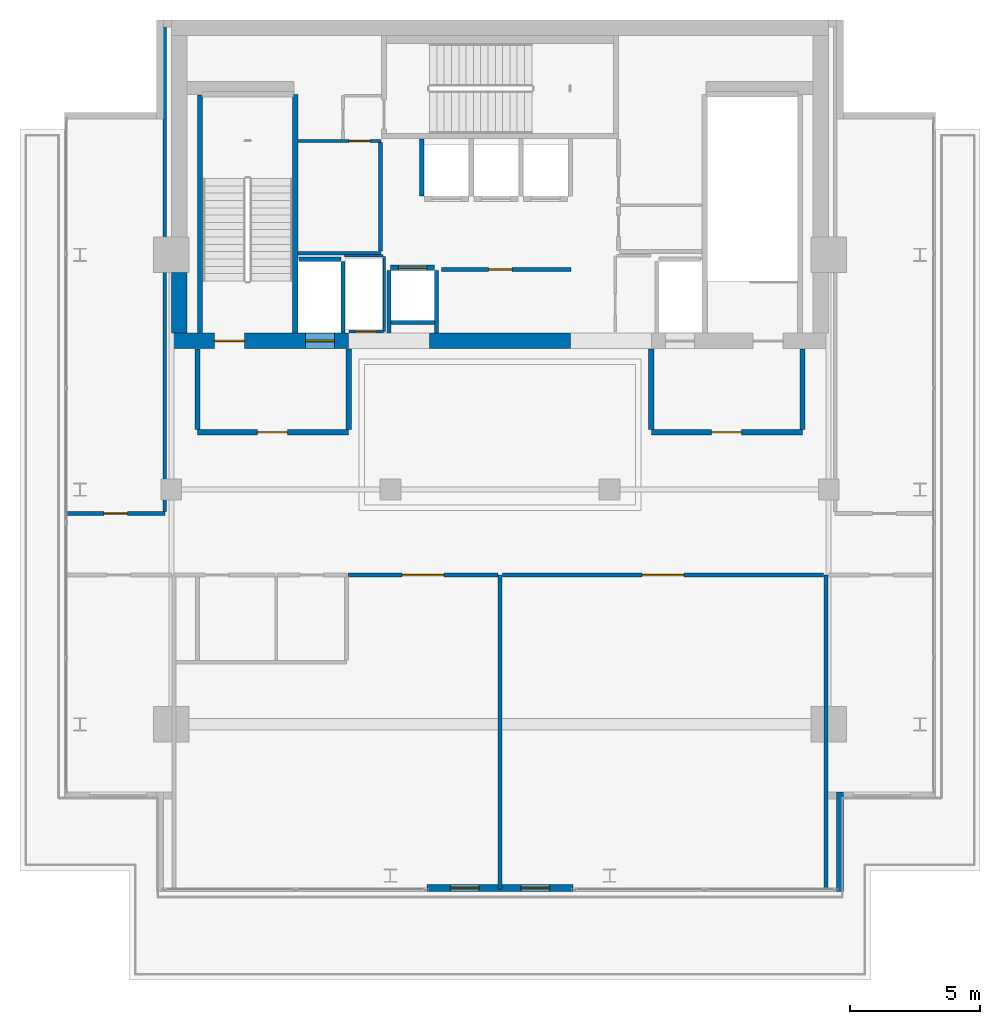
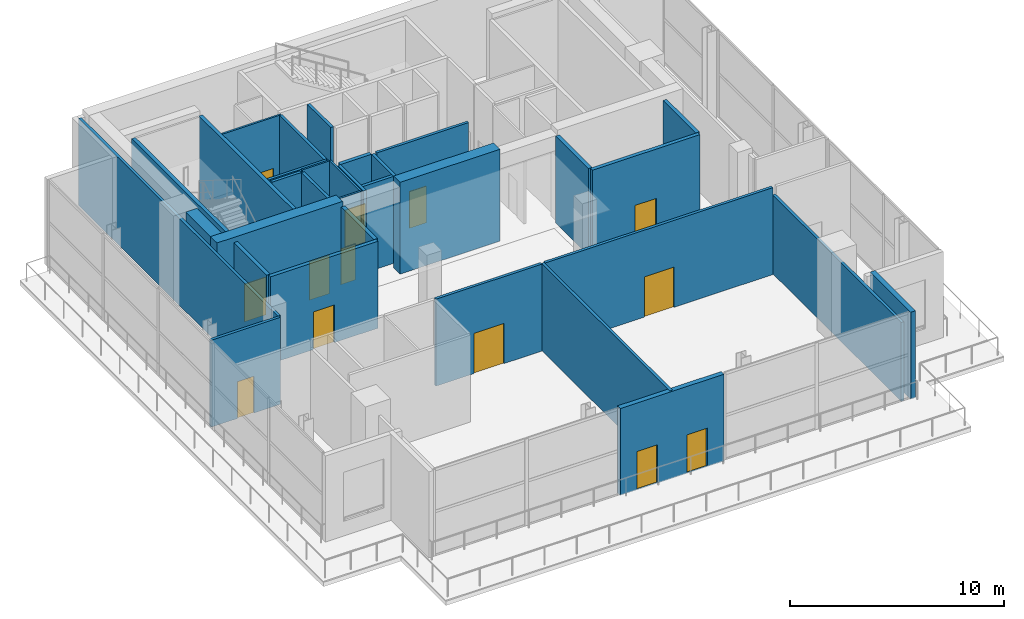
# One storey, part 13 of 19: 33 walls, 13 doors, 13 openings.
"""IFC4 building model written with IfcOpenShell, lengths in metres."""

from ifc_helpers import new_model, si_unit, direction, frame, frame_2d, origin, place, context, subcontext, project, spatial, rectangle, extrude, material, layer, layer_set, type_object, element, fill, save


model = new_model("IFC4")

# Units and contexts
model_context = context("Model", 3, precision=1e-05, world=origin(), true_north=direction((0.0, 1.0)))
body_context = subcontext(model_context, "Body", "Model", "MODEL_VIEW")
ifc_project = project(units=[si_unit("LENGTHUNIT", "METRE"), si_unit("AREAUNIT", "SQUARE_METRE"), si_unit("VOLUMEUNIT", "CUBIC_METRE"), si_unit("PLANEANGLEUNIT", "RADIAN"), si_unit("MASSUNIT", "GRAM", prefix="KILO")], contexts=[model_context])

# Site, building, storey
site_placement = place(None, origin())
site = spatial("IfcSite", under=ifc_project, at=site_placement, CompositionType="ELEMENT")
building_placement = place(site_placement, origin())
building = spatial("IfcBuilding", under=site, at=building_placement, Name="Maruvema Waterfront Hotel and Observation Tower", CompositionType="ELEMENT")
storey_placement = place(building_placement, frame((0.0, 0.0, 359.10009765625)))
storey = spatial("IfcBuildingStorey", under=building, at=storey_placement, Name="L88", CompositionType="ELEMENT", Elevation=359.10009765625)

# Wall, opening, door
ifc_material_1 = material(Name="Twin-stud acoustic gypsum drywall", Category="gypsum")
ifc_layer_1 = layer(ifc_material_1, 0.14990234375, Name="Acoustic Corridor and Suite Demising Wall 150 mm")
ifc_layer_set_1 = layer_set([ifc_layer_1], Name="Twin-stud acoustic gypsum drywall")
wall_type_1 = type_object("IfcWallType", Name="Acoustic Corridor and Suite Demising Wall 150 mm", PredefinedType="PARTITIONING", material=ifc_layer_set_1)
wall_1_placement = place(storey_placement, frame((35.56005859375, 44.43994140625, 0.0), z_axis=(0.0, 0.0, 1.0), x_axis=(1.0, 0.0, 0.0)))
wall_1 = element("IfcWall", 1, at=wall_1_placement, inside=storey, type_object=wall_type_1, Name="L88 Freed B3 Wall 012", PredefinedType="PARTITIONING", context=body_context, shape_type="SweptSolid", body=[
    extrude(rectangle(XDim=4.9599609375, YDim=0.14990234375, at=frame_2d((2.47998046875, 0.0))), origin(), (0.0, 0.0, 1.0), 4.969970703125),
])
opening_1_placement = place(wall_1_placement, frame((1.800048828125, 0.0, 0.0)))
opening_1 = element("IfcOpeningElement", 2, at=opening_1_placement, cuts=wall_1, Name="Opening DR-090", PredefinedType="OPENING", context=body_context, shape_type="SweptSolid", body=[
    extrude(rectangle(XDim=0.89990234375, YDim=2.10009765625, at=frame_2d((0.449951171875, 1.050048828125))), frame((0.0, 0.0849609375, 0.0), z_axis=(0.0, -1.0, 0.0), x_axis=(1.0, 0.0, 0.0)), (0.0, 0.0, 1.0), 0.169921875),
])
ifc_material_2 = material(Name="Solid-core lacquered timber leaf", Category="wood")
door_type_1 = type_object("IfcDoorType", Name="Accessible Toilet and Room Door 900x2100 mm", OperationType="NOTDEFINED", PredefinedType="DOOR", material=ifc_material_2)
door_1_placement = place(opening_1_placement, origin())
door_1 = element("IfcDoor", 3, at=door_1_placement, inside=storey, type_object=door_type_1, Name="L88 Freed B3 Door", OperationType="SINGLE_SWING_RIGHT", OverallHeight=2.10009765625, OverallWidth=0.89990234375, PredefinedType="DOOR", context=body_context, shape_type="SweptSolid", body=[
    extrude(rectangle(XDim=0.89990234375, YDim=2.10009765625, at=frame_2d((0.449951171875, 1.050048828125))), frame((0.0, 0.02490234375, 0.0), z_axis=(0.0, -1.0, 0.0), x_axis=(1.0, 0.0, 0.0)), (0.0, 0.0, 1.0), 0.050048828125),
])
fill(opening_1, door_1)

# Walls
wall_2_placement = place(storey_placement, frame((30.06005859375, 45.06005859375, 0.0), z_axis=(0.0, 0.0, 1.0), x_axis=(1.0, 0.0, 0.0)))
element("IfcWall", 4, at=wall_2_placement, inside=storey, type_object=wall_type_1, Name="L88 Freed B1 South Wall 013", PredefinedType="PARTITIONING", context=body_context, shape_type="SweptSolid", body=[
    extrude(rectangle(XDim=3.179931640625, YDim=0.14990234375, at=frame_2d((1.58984375, 0.0))), origin(), (0.0, 0.0, 1.0), 4.969970703125),
])
wall_3_placement = place(storey_placement, frame((33.219970703125, 45.139892578125, 0.0), z_axis=(0.0, 0.0, 1.0), x_axis=(0.0, 1.0, 0.0)))
element("IfcWall", 5, at=wall_3_placement, inside=storey, type_object=wall_type_1, Name="L88 Freed B1 East Wall 014", PredefinedType="PARTITIONING", context=body_context, shape_type="SweptSolid", body=[
    extrude(rectangle(XDim=4.16015625, YDim=0.14990234375, at=frame_2d((2.080078125, 0.0))), origin(), (0.0, 0.0, 1.0), 4.969970703125),
])
wall_4_placement = place(storey_placement, frame((37.800048828125, 20.679931640625, 0.0), z_axis=(0.0, 0.0, 1.0), x_axis=(0.0, 1.0, 0.0)))
element("IfcWall", 6, at=wall_4_placement, inside=storey, type_object=wall_type_1, Name="L88 L88 Deck Split 028", PredefinedType="PARTITIONING", context=body_context, shape_type="SweptSolid", body=[
    extrude(rectangle(XDim=12.0400390625, YDim=0.14990234375, at=frame_2d((6.02001953125, 0.0))), origin(), (0.0, 0.0, 1.0), 4.969970703125),
])
wall_5_placement = place(storey_placement, frame((50.300048828125, 20.679931640625, 0.0), z_axis=(0.0, 0.0, 1.0), x_axis=(0.0, 1.0, 0.0)))
element("IfcWall", 7, at=wall_5_placement, inside=storey, type_object=wall_type_1, Name="L88 L88 East Spine 030", PredefinedType="PARTITIONING", context=body_context, shape_type="SweptSolid", body=[
    extrude(rectangle(XDim=12.0400390625, YDim=0.14990234375, at=frame_2d((6.02001953125, 0.0))), origin(), (0.0, 0.0, 1.0), 4.5068359375),
])

# Wall, opening, door
wall_6_placement = place(storey_placement, frame((31.97998046875, 32.719970703125, 0.0), z_axis=(0.0, 0.0, 1.0), x_axis=(1.0, 0.0, 0.0)))
wall_6 = element("IfcWall", 8, at=wall_6_placement, inside=storey, type_object=wall_type_1, Name="L88 L88 Obs W North 031", PredefinedType="PARTITIONING", context=body_context, shape_type="SweptSolid", body=[
    extrude(rectangle(XDim=5.739990234375, YDim=0.14990234375, at=frame_2d((2.8701171875, 0.0))), origin(), (0.0, 0.0, 1.0), 4.969970703125),
])
opening_2_placement = place(wall_6_placement, frame((2.070068359375, 0.0, 0.0)))
opening_2 = element("IfcOpeningElement", 9, at=opening_2_placement, cuts=wall_6, Name="Opening DR-160", PredefinedType="OPENING", context=body_context, shape_type="SweptSolid", body=[
    extrude(rectangle(XDim=1.60009765625, YDim=2.300048828125, at=frame_2d((0.800048828125, 1.14990234375))), frame((0.0, 0.0849609375, 0.0), z_axis=(0.0, -1.0, 0.0), x_axis=(1.0, 0.0, 0.0)), (0.0, 0.0, 1.0), 0.169921875),
])
ifc_material_3 = material(Name="Acoustic veneered hardwood double leaf", Category="wood")
door_type_2 = type_object("IfcDoorType", Name="Ballroom and Lounge Double Door 1600x2300 mm", OperationType="DOUBLE_DOOR_SINGLE_SWING", PredefinedType="DOOR", material=ifc_material_3)
door_2_placement = place(opening_2_placement, origin())
door_2 = element("IfcDoor", 10, at=door_2_placement, inside=storey, type_object=door_type_2, Name="L88 Upper Observation West Door", OperationType="DOUBLE_DOOR_SINGLE_SWING", OverallHeight=2.300048828125, OverallWidth=1.60009765625, PredefinedType="DOOR", context=body_context, shape_type="SweptSolid", body=[
    extrude(rectangle(XDim=1.60009765625, YDim=2.300048828125, at=frame_2d((0.800048828125, 1.14990234375))), frame((0.0, 0.02490234375, 0.0), z_axis=(0.0, -1.0, 0.0), x_axis=(1.0, 0.0, 0.0)), (0.0, 0.0, 1.0), 0.050048828125),
])
fill(opening_2, door_2)

wall_7_placement = place(storey_placement, frame((37.89990234375, 32.719970703125, 0.0), z_axis=(0.0, 0.0, 1.0), x_axis=(1.0, 0.0, 0.0)))
wall_7 = element("IfcWall", 11, at=wall_7_placement, inside=storey, type_object=wall_type_1, Name="L88 L88 Obs E North 032", PredefinedType="PARTITIONING", context=body_context, shape_type="SweptSolid", body=[
    extrude(rectangle(XDim=12.300048828125, YDim=0.14990234375, at=frame_2d((6.14990234375, 0.0))), origin(), (0.0, 0.0, 1.0), 4.969970703125),
])
opening_3_placement = place(wall_7_placement, frame((5.35009765625, 0.0, 0.0)))
opening_3 = element("IfcOpeningElement", 12, at=opening_3_placement, cuts=wall_7, Name="Opening DR-160", PredefinedType="OPENING", context=body_context, shape_type="SweptSolid", body=[
    extrude(rectangle(XDim=1.60009765625, YDim=2.300048828125, at=frame_2d((0.800048828125, 1.14990234375))), frame((0.0, 0.0849609375, 0.0), z_axis=(0.0, -1.0, 0.0), x_axis=(1.0, 0.0, 0.0)), (0.0, 0.0, 1.0), 0.169921875),
])
door_3_placement = place(opening_3_placement, origin())
door_3 = element("IfcDoor", 13, at=door_3_placement, inside=storey, type_object=door_type_2, Name="L88 Meridian Observatory Door", OperationType="DOUBLE_DOOR_SINGLE_SWING", OverallHeight=2.300048828125, OverallWidth=1.60009765625, PredefinedType="DOOR", context=body_context, shape_type="SweptSolid", body=[
    extrude(rectangle(XDim=1.60009765625, YDim=2.300048828125, at=frame_2d((0.800048828125, 1.14990234375))), frame((0.0, 0.02490234375, 0.0), z_axis=(0.0, -1.0, 0.0), x_axis=(1.0, 0.0, 0.0)), (0.0, 0.0, 1.0), 0.050048828125),
])
fill(opening_3, door_3)

wall_8_placement = place(storey_placement, frame((21.179931640625, 35.080078125, 0.0), z_axis=(0.0, 0.0, 1.0), x_axis=(1.0, 0.0, 0.0)))
wall_8 = element("IfcWall", 14, at=wall_8_placement, inside=storey, type_object=wall_type_1, Name="L88 L88 Curator South 035", PredefinedType="PARTITIONING", context=body_context, shape_type="SweptSolid", body=[
    extrude(rectangle(XDim=3.77001953125, YDim=0.14990234375, at=frame_2d((1.885009765625, 0.0))), origin(), (0.0, 0.0, 1.0), 4.969970703125),
])
opening_4_placement = place(wall_8_placement, frame((1.43505859375, 0.0, 0.0)))
opening_4 = element("IfcOpeningElement", 15, at=opening_4_placement, cuts=wall_8, Name="Opening DR-090", PredefinedType="OPENING", context=body_context, shape_type="SweptSolid", body=[
    extrude(rectangle(XDim=0.89990234375, YDim=2.10009765625, at=frame_2d((0.449951171875, 1.050048828125))), frame((0.0, 0.0849609375, 0.0), z_axis=(0.0, -1.0, 0.0), x_axis=(1.0, 0.0, 0.0)), (0.0, 0.0, 1.0), 0.169921875),
])
door_4_placement = place(opening_4_placement, frame((0.89990234375, 0.0, 0.0), z_axis=(0.0, 0.0, 1.0), x_axis=(-1.0, 0.0, 0.0)))
door_4 = element("IfcDoor", 16, at=door_4_placement, inside=storey, type_object=door_type_1, Name="L88 Curator Office Door", OperationType="SINGLE_SWING_LEFT", OverallHeight=2.10009765625, OverallWidth=0.89990234375, PredefinedType="DOOR", context=body_context, shape_type="SweptSolid", body=[
    extrude(rectangle(XDim=0.89990234375, YDim=2.10009765625, at=frame_2d((0.449951171875, 1.050048828125))), frame((0.0, 0.02490234375, 0.0), z_axis=(0.0, -1.0, 0.0), x_axis=(1.0, 0.0, 0.0)), (0.0, 0.0, 1.0), 0.050048828125),
])
fill(opening_4, door_4)

# Walls
wall_9_placement = place(storey_placement, frame((24.949951171875, 35.14990234375, 0.0), z_axis=(0.0, 0.0, 1.0), x_axis=(0.0, 1.0, 0.0)))
element("IfcWall", 17, at=wall_9_placement, inside=storey, type_object=wall_type_1, Name="L88 L88 Curator East 036", PredefinedType="PARTITIONING", context=body_context, shape_type="SweptSolid", body=[
    extrude(rectangle(XDim=18.650146484375, YDim=0.14990234375, at=frame_2d((9.3251953125, 0.0))), origin(), (0.0, 0.0, 1.0), 4.969970703125),
])
ifc_material_4 = material(Name="Precast concrete C45/55", Category="concrete")
ifc_layer_2 = layer(ifc_material_4, 0.199951171875, Name="Core Shaft and Stairwell Enclosure Wall 200 mm")
ifc_layer_set_2 = layer_set([ifc_layer_2], Name="Precast concrete C45/55")
wall_type_2 = type_object("IfcWallType", Name="Core Shaft and Stairwell Enclosure Wall 200 mm", PredefinedType="SOLIDWALL", material=ifc_layer_set_2)
wall_10_placement = place(storey_placement, frame((29.949951171875, 42.0, 0.0), z_axis=(0.0, 0.0, 1.0), x_axis=(0.0, 1.0, 0.0)))
element("IfcWall", 18, at=wall_10_placement, inside=storey, type_object=wall_type_2, Name="L88 Stairwell ST-01 East Shaft Wall", PredefinedType="SOLIDWALL", context=body_context, shape_type="SweptSolid", body=[
    extrude(rectangle(XDim=9.14990234375, YDim=0.199951171875, at=frame_2d((4.574951171875, 0.0))), origin(), (0.0, 0.0, 1.0), 4.969970703125),
])
wall_11_placement = place(storey_placement, frame((26.300048828125, 42.0, 0.0), z_axis=(0.0, 0.0, 1.0), x_axis=(0.0, 1.0, 0.0)))
element("IfcWall", 19, at=wall_11_placement, inside=storey, type_object=wall_type_2, Name="L88 Stairwell ST-01 Shaft Lining Wall", PredefinedType="SOLIDWALL", context=body_context, shape_type="SweptSolid", body=[
    extrude(rectangle(XDim=9.1201171875, YDim=0.199951171875, at=frame_2d((4.56005859375, 0.0))), origin(), (0.0, 0.0, 1.0), 4.969970703125),
])

# Wall, opening, door
wall_12_placement = place(storey_placement, frame((33.610107421875, 44.5, 0.0), z_axis=(0.0, 0.0, 1.0), x_axis=(1.0, 0.0, 0.0)))
wall_12 = element("IfcWall", 20, at=wall_12_placement, inside=storey, type_object=wall_type_2, Name="L88 Lift LF-15 Hoistway Front Wall", PredefinedType="SOLIDWALL", context=body_context, shape_type="SweptSolid", body=[
    extrude(rectangle(XDim=1.679931640625, YDim=0.199951171875, at=frame_2d((0.83984375, 0.0))), origin(), (0.0, 0.0, 1.0), 4.969970703125),
])
opening_5_placement = place(wall_12_placement, frame((0.2900390625, 0.0, 0.0)))
opening_5 = element("IfcOpeningElement", 21, at=opening_5_placement, cuts=wall_12, Name="Opening LD-02", PredefinedType="OPENING", context=body_context, shape_type="SweptSolid", body=[
    extrude(rectangle(XDim=1.10009765625, YDim=2.199951171875, at=frame_2d((0.550048828125, 1.10009765625))), frame((0.0, 0.10986328125, 0.0), z_axis=(0.0, -1.0, 0.0), x_axis=(1.0, 0.0, 0.0)), (0.0, 0.0, 1.0), 0.219970703125),
])
ifc_material_5 = material(Name="Brushed stainless steel Grade 316", Category="steel")
door_type_3 = type_object("IfcDoorType", Name="Shuttle Lift Sliding Landing Door 1100x2200 mm", OperationType="SLIDING_TO_RIGHT", PredefinedType="DOOR", material=ifc_material_5)
door_5_placement = place(opening_5_placement, origin())
door_5 = element("IfcDoor", 22, at=door_5_placement, inside=storey, type_object=door_type_3, Name="L88 Lift LF-15 Sliding Landing Door", OperationType="SLIDING_TO_RIGHT", OverallHeight=2.199951171875, OverallWidth=1.10009765625, PredefinedType="DOOR", context=body_context, shape_type="SweptSolid", body=[
    extrude(rectangle(XDim=1.10009765625, YDim=2.199951171875, at=frame_2d((0.550048828125, 1.10009765625))), frame((0.0, 0.02490234375, 0.0), z_axis=(0.0, -1.0, 0.0), x_axis=(1.0, 0.0, 0.0)), (0.0, 0.0, 1.0), 0.050048828125),
])
fill(opening_5, door_5)

# Wall, openings, doors
ifc_material_6 = material(Name="Concrete C60/75", Category="concrete")
ifc_layer_3 = layer(ifc_material_6, 0.60009765625, Name="Core Shear Wall 600 mm")
ifc_layer_set_3 = layer_set([ifc_layer_3], Name="Concrete C60/75")
wall_type_3 = type_object("IfcWallType", Name="Core Shear Wall 600 mm", PredefinedType="SHEAR", material=ifc_layer_set_3)
wall_13_placement = place(storey_placement, frame((25.199951171875, 41.699951171875, 0.0), z_axis=(0.0, 0.0, 1.0), x_axis=(1.0, 0.0, 0.0)))
wall_13 = element("IfcWall", 23, at=wall_13_placement, inside=storey, type_object=wall_type_3, Name="L88 South-West Core Shear Wall", PredefinedType="SHEAR", context=body_context, shape_type="SweptSolid", body=[
    extrude(rectangle(XDim=6.800048828125, YDim=0.60009765625, at=frame_2d((3.39990234375, 0.0))), origin(), (0.0, 0.0, 1.0), 5.25),
])
opening_6_placement = place(wall_13_placement, frame((1.64990234375, 0.0, 0.0)))
opening_6 = element("IfcOpeningElement", 24, at=opening_6_placement, cuts=wall_13, Name="Opening SD-01", PredefinedType="OPENING", context=body_context, shape_type="SweptSolid", body=[
    extrude(rectangle(XDim=1.14990234375, YDim=2.14990234375, at=frame_2d((0.574951171875, 1.074951171875))), frame((0.0, 0.31005859375, 0.0), z_axis=(0.0, -1.0, 0.0), x_axis=(1.0, 0.0, 0.0)), (0.0, 0.0, 1.0), 0.6201171875),
])
opening_7_placement = place(wall_13_placement, frame((5.14990234375, 0.0, 0.0)))
opening_7 = element("IfcOpeningElement", 25, at=opening_7_placement, cuts=wall_13, Name="Opening LD-03", PredefinedType="OPENING", context=body_context, shape_type="SweptSolid", body=[
    extrude(rectangle(XDim=1.10009765625, YDim=2.199951171875, at=frame_2d((0.550048828125, 1.10009765625))), frame((0.0, 0.31005859375, 0.0), z_axis=(0.0, -1.0, 0.0), x_axis=(1.0, 0.0, 0.0)), (0.0, 0.0, 1.0), 0.6201171875),
])
ifc_material_7 = material(Name="Fire-rated galvanised steel leaf", Category="steel")
door_type_4 = type_object("IfcDoorType", Name="Exit Stair Fire Door 1150x2150 mm", OperationType="NOTDEFINED", PredefinedType="DOOR", material=ifc_material_7)
door_6_placement = place(opening_6_placement, origin())
door_6 = element("IfcDoor", 26, at=door_6_placement, inside=storey, type_object=door_type_4, Name="L88 Exit Stair ST-01 Fire Door", OperationType="SINGLE_SWING_LEFT", OverallHeight=2.14990234375, OverallWidth=1.14990234375, PredefinedType="DOOR", context=body_context, shape_type="SweptSolid", body=[
    extrude(rectangle(XDim=1.14990234375, YDim=2.14990234375, at=frame_2d((0.574951171875, 1.074951171875))), frame((0.0, 0.02490234375, 0.0), z_axis=(0.0, -1.0, 0.0), x_axis=(1.0, 0.0, 0.0)), (0.0, 0.0, 1.0), 0.050048828125),
])
fill(opening_6, door_6)
ifc_material_8 = material(Name="Brushed stainless steel Grade 316", Category="steel")
door_type_5 = type_object("IfcDoorType", Name="Firefighting Lift Sliding Landing Door 1100x2200 mm", OperationType="SLIDING_TO_LEFT", PredefinedType="DOOR", material=ifc_material_8)
door_7_placement = place(opening_7_placement, frame((1.10009765625, 0.0, 0.0), z_axis=(0.0, 0.0, 1.0), x_axis=(-1.0, 0.0, 0.0)))
door_7 = element("IfcDoor", 27, at=door_7_placement, inside=storey, type_object=door_type_5, Name="L88 Firefighting Lift FL-01 Landing Door", OperationType="SLIDING_TO_LEFT", OverallHeight=2.199951171875, OverallWidth=1.10009765625, PredefinedType="DOOR", context=body_context, shape_type="SweptSolid", body=[
    extrude(rectangle(XDim=1.10009765625, YDim=2.199951171875, at=frame_2d((0.550048828125, 1.10009765625))), frame((0.0, 0.02490234375, 0.0), z_axis=(0.0, -1.0, 0.0), x_axis=(1.0, 0.0, 0.0)), (0.0, 0.0, 1.0), 0.050048828125),
])
fill(opening_7, door_7)

# Walls
wall_14_placement = place(storey_placement, frame((35.10009765625, 41.699951171875, 0.0), z_axis=(0.0, 0.0, 1.0), x_axis=(1.0, 0.0, 0.0)))
element("IfcWall", 28, at=wall_14_placement, inside=storey, type_object=wall_type_3, Name="L88 South-Central Core Shear Wall", PredefinedType="SHEAR", context=body_context, shape_type="SweptSolid", body=[
    extrude(rectangle(XDim=5.39990234375, YDim=0.60009765625, at=frame_2d((2.699951171875, 0.0))), origin(), (0.0, 0.0, 1.0), 5.25),
])
wall_15_placement = place(storey_placement, frame((25.5, 42.0, 0.0), z_axis=(0.0, 0.0, 1.0), x_axis=(0.0, 1.0, 0.0)))
element("IfcWall", 29, at=wall_15_placement, inside=storey, type_object=wall_type_3, Name="L88 West-South Core Shear Wall", PredefinedType="SHEAR", context=body_context, shape_type="SweptSolid", body=[
    extrude(rectangle(XDim=2.324951171875, YDim=0.60009765625, at=frame_2d((1.16259765625, 0.0))), origin(), (0.0, 0.0, 1.0), 5.25),
])

# Wall, opening, door
ifc_material_9 = material(Name="Moisture-resistant cement-board drywall", Category="gypsum")
ifc_layer_4 = layer(ifc_material_9, 0.10009765625, Name="En-Suite Moisture-Resistant Partition 100 mm")
ifc_layer_set_4 = layer_set([ifc_layer_4], Name="Moisture-resistant cement-board drywall")
wall_type_4 = type_object("IfcWallType", Name="En-Suite Moisture-Resistant Partition 100 mm", PredefinedType="PARTITIONING", material=ifc_layer_set_4)
wall_16_placement = place(storey_placement, frame((32.02001953125, 42.06005859375, 0.0), z_axis=(0.0, 0.0, 1.0), x_axis=(1.0, 0.0, 0.0)))
wall_16 = element("IfcWall", 30, at=wall_16_placement, inside=storey, type_object=wall_type_4, Name="L88 Telecom Riser South Wall 007", PredefinedType="PARTITIONING", context=body_context, shape_type="SweptSolid", body=[
    extrude(rectangle(XDim=1.320068359375, YDim=0.10009765625, at=frame_2d((0.66015625, 0.0))), origin(), (0.0, 0.0, 1.0), 4.969970703125),
])
opening_8_placement = place(wall_16_placement, frame((0.239990234375, 0.0, 0.0)))
opening_8 = element("IfcOpeningElement", 31, at=opening_8_placement, cuts=wall_16, Name="Opening DR-080", PredefinedType="OPENING", context=body_context, shape_type="SweptSolid", body=[
    extrude(rectangle(XDim=0.800048828125, YDim=2.050048828125, at=frame_2d((0.39990234375, 1.02490234375))), frame((0.0, 0.06005859375, 0.0), z_axis=(0.0, -1.0, 0.0), x_axis=(1.0, 0.0, 0.0)), (0.0, 0.0, 1.0), 0.1201171875),
])
ifc_material_10 = material(Name="Powder-coated steel access leaf", Category="steel")
door_type_6 = type_object("IfcDoorType", Name="Riser and Service Cupboard Door 800x2050 mm", OperationType="NOTDEFINED", PredefinedType="DOOR", material=ifc_material_10)
door_8_placement = place(opening_8_placement, frame((0.800048828125, 0.0, 0.0), z_axis=(0.0, 0.0, 1.0), x_axis=(-1.0, 0.0, 0.0)))
door_8 = element("IfcDoor", 32, at=door_8_placement, inside=storey, type_object=door_type_6, Name="L88 Telecom Riser Door", OperationType="SINGLE_SWING_RIGHT", OverallHeight=2.050048828125, OverallWidth=0.800048828125, PredefinedType="DOOR", context=body_context, shape_type="SweptSolid", body=[
    extrude(rectangle(XDim=0.800048828125, YDim=2.050048828125, at=frame_2d((0.39990234375, 1.02490234375))), frame((0.0, 0.02490234375, 0.0), z_axis=(0.0, -1.0, 0.0), x_axis=(1.0, 0.0, 0.0)), (0.0, 0.0, 1.0), 0.050048828125),
])
fill(opening_8, door_8)

# Walls
wall_17_placement = place(storey_placement, frame((31.840087890625, 44.9599609375, 0.0), z_axis=(0.0, 0.0, 1.0), x_axis=(1.0, 0.0, 0.0)))
element("IfcWall", 33, at=wall_17_placement, inside=storey, type_object=wall_type_4, Name="L88 Telecom Riser North Wall 008", PredefinedType="PARTITIONING", context=body_context, shape_type="SweptSolid", body=[
    extrude(rectangle(XDim=1.47998046875, YDim=0.10009765625, at=frame_2d((0.739990234375, 0.0))), origin(), (0.0, 0.0, 1.0), 4.969970703125),
])
wall_18_placement = place(storey_placement, frame((33.360107421875, 42.06005859375, 0.0), z_axis=(0.0, 0.0, 1.0), x_axis=(0.0, 1.0, 0.0)))
element("IfcWall", 34, at=wall_18_placement, inside=storey, type_object=wall_type_4, Name="L88 Telecom Riser East Wall 009", PredefinedType="PARTITIONING", context=body_context, shape_type="SweptSolid", body=[
    extrude(rectangle(XDim=2.8798828125, YDim=0.10009765625, at=frame_2d((1.43994140625, 0.0))), origin(), (0.0, 0.0, 1.0), 4.969970703125),
])

# Wall, opening, door
wall_19_placement = place(storey_placement, frame((30.06005859375, 49.360107421875, 0.0), z_axis=(0.0, 0.0, 1.0), x_axis=(1.0, 0.0, 0.0)))
wall_19 = element("IfcWall", 35, at=wall_19_placement, inside=storey, type_object=wall_type_4, Name="L88 Freed B1 Mid Wall 015", PredefinedType="PARTITIONING", context=body_context, shape_type="SweptSolid", body=[
    extrude(rectangle(XDim=3.179931640625, YDim=0.10009765625, at=frame_2d((1.58984375, 0.0))), origin(), (0.0, 0.0, 1.0), 4.969970703125),
])
opening_9_placement = place(wall_19_placement, frame((1.949951171875, 0.0, 0.0)))
opening_9 = element("IfcOpeningElement", 36, at=opening_9_placement, cuts=wall_19, Name="Opening DR-080", PredefinedType="OPENING", context=body_context, shape_type="SweptSolid", body=[
    extrude(rectangle(XDim=0.800048828125, YDim=2.050048828125, at=frame_2d((0.39990234375, 1.02490234375))), frame((0.0, 0.06005859375, 0.0), z_axis=(0.0, -1.0, 0.0), x_axis=(1.0, 0.0, 0.0)), (0.0, 0.0, 1.0), 0.1201171875),
])
door_9_placement = place(opening_9_placement, origin())
door_9 = element("IfcDoor", 37, at=door_9_placement, inside=storey, type_object=door_type_6, Name="L88 Housekeeping and Linen Room Door", OperationType="SINGLE_SWING_LEFT", OverallHeight=2.050048828125, OverallWidth=0.800048828125, PredefinedType="DOOR", context=body_context, shape_type="SweptSolid", body=[
    extrude(rectangle(XDim=0.800048828125, YDim=2.050048828125, at=frame_2d((0.39990234375, 1.02490234375))), frame((0.0, 0.02490234375, 0.0), z_axis=(0.0, -1.0, 0.0), x_axis=(1.0, 0.0, 0.0)), (0.0, 0.0, 1.0), 0.050048828125),
])
fill(opening_9, door_9)

# Wall
ifc_material_11 = material(Name="Precast concrete C45/55 with honed Pernambuco granite facing", Category="masonry")
ifc_layer_5 = layer(ifc_material_11, 0.260009765625, Name="Exterior Granite Clad Spandrel and Pier Wall 260 mm")
ifc_layer_set_5 = layer_set([ifc_layer_5], Name="Precast concrete C45/55 with honed Pernambuco granite facing")
wall_type_5 = type_object("IfcWallType", Name="Exterior Granite Clad Spandrel and Pier Wall 260 mm", PredefinedType="SOLIDWALL", material=ifc_layer_set_5)
wall_20_placement = place(storey_placement, frame((50.830078125, 24.39990234375, 0.0), z_axis=(0.0, 0.0, 1.0), x_axis=(0.0, -1.0, 0.0)))
element("IfcWall", 38, at=wall_20_placement, inside=storey, type_object=wall_type_5, Name="L88 Corner Notch Granite Pier Wall SE1", PredefinedType="SOLIDWALL", context=body_context, shape_type="SweptSolid", body=[
    extrude(rectangle(XDim=3.7998046875, YDim=0.260009765625, at=frame_2d((1.89990234375, 0.0))), origin(), (0.0, 0.0, 1.0), 4.969970703125),
])

# Wall, openings, doors
wall_21_placement = place(storey_placement, frame((40.60009765625, 20.72998046875, 0.0), z_axis=(0.0, 0.0, 1.0), x_axis=(-1.0, 0.0, 0.0)))
wall_21 = element("IfcWall", 39, at=wall_21_placement, inside=storey, type_object=wall_type_5, Name="L88 South Terrace Access Portal Wall", PredefinedType="SOLIDWALL", context=body_context, shape_type="SweptSolid", body=[
    extrude(rectangle(XDim=5.60009765625, YDim=0.260009765625, at=frame_2d((2.800048828125, 0.0))), origin(), (0.0, 0.0, 1.0), 4.969970703125),
])
opening_10_placement = place(wall_21_placement, frame((0.89990234375, 0.0, 0.0)))
opening_10 = element("IfcOpeningElement", 40, at=opening_10_placement, cuts=wall_21, Name="Opening TD-01", PredefinedType="OPENING", context=body_context, shape_type="SweptSolid", body=[
    extrude(rectangle(XDim=1.10009765625, YDim=2.199951171875, at=frame_2d((0.550048828125, 1.10009765625))), frame((0.0, 0.14013671875, 0.0), z_axis=(0.0, -1.0, 0.0), x_axis=(1.0, 0.0, 0.0)), (0.0, 0.0, 1.0), 0.280029296875),
])
opening_11_placement = place(wall_21_placement, frame((3.60009765625, 0.0, 0.0)))
opening_11 = element("IfcOpeningElement", 41, at=opening_11_placement, cuts=wall_21, Name="Opening TD-01", PredefinedType="OPENING", context=body_context, shape_type="SweptSolid", body=[
    extrude(rectangle(XDim=1.10009765625, YDim=2.199951171875, at=frame_2d((0.550048828125, 1.10009765625))), frame((0.0, 0.14013671875, 0.0), z_axis=(0.0, -1.0, 0.0), x_axis=(1.0, 0.0, 0.0)), (0.0, 0.0, 1.0), 0.280029296875),
])
ifc_material_12 = material(Name="Anodised bronze aluminium and laminated safety glass", Category="aluminium")
door_type_7 = type_object("IfcDoorType", Name="Setback Terrace Weatherproof Glazed Door 1100x2200 mm", OperationType="NOTDEFINED", PredefinedType="DOOR", material=ifc_material_12)
door_10_placement = place(opening_10_placement, origin())
door_10 = element("IfcDoor", 42, at=door_10_placement, inside=storey, type_object=door_type_7, Name="L88 Setback Terrace Door East", OperationType="SINGLE_SWING_LEFT", OverallHeight=2.199951171875, OverallWidth=1.10009765625, PredefinedType="DOOR", context=body_context, shape_type="SweptSolid", body=[
    extrude(rectangle(XDim=1.10009765625, YDim=2.199951171875, at=frame_2d((0.550048828125, 1.10009765625))), frame((0.0, 0.02490234375, 0.0), z_axis=(0.0, -1.0, 0.0), x_axis=(1.0, 0.0, 0.0)), (0.0, 0.0, 1.0), 0.050048828125),
])
fill(opening_10, door_10)
door_11_placement = place(opening_11_placement, origin())
door_11 = element("IfcDoor", 43, at=door_11_placement, inside=storey, type_object=door_type_7, Name="L88 Setback Terrace Door West", OperationType="SINGLE_SWING_RIGHT", OverallHeight=2.199951171875, OverallWidth=1.10009765625, PredefinedType="DOOR", context=body_context, shape_type="SweptSolid", body=[
    extrude(rectangle(XDim=1.10009765625, YDim=2.199951171875, at=frame_2d((0.550048828125, 1.10009765625))), frame((0.0, 0.02490234375, 0.0), z_axis=(0.0, -1.0, 0.0), x_axis=(1.0, 0.0, 0.0)), (0.0, 0.0, 1.0), 0.050048828125),
])
fill(opening_11, door_11)

# Wall, opening, door
ifc_material_13 = material(Name="Autoclaved cellular concrete blockwork", Category="masonry")
ifc_layer_6 = layer(ifc_material_13, 0.199951171875, Name="Fire Compartment Masonry Wall 200 mm")
ifc_layer_set_6 = layer_set([ifc_layer_6], Name="Autoclaved cellular concrete blockwork")
wall_type_6 = type_object("IfcWallType", Name="Fire Compartment Masonry Wall 200 mm", PredefinedType="PARTITIONING", material=ifc_layer_set_6)
wall_22_placement = place(storey_placement, frame((26.199951171875, 38.199951171875, 0.0), z_axis=(0.0, 0.0, 1.0), x_axis=(1.0, 0.0, 0.0)))
wall_22 = element("IfcWall", 44, at=wall_22_placement, inside=storey, type_object=wall_type_6, Name="L88 FFL West South Wall 001", PredefinedType="PARTITIONING", context=body_context, shape_type="SweptSolid", body=[
    extrude(rectangle(XDim=5.800048828125, YDim=0.199951171875, at=frame_2d((2.89990234375, 0.0))), origin(), (0.0, 0.0, 1.0), 4.969970703125),
])
opening_12_placement = place(wall_22_placement, frame((2.300048828125, 0.0, 0.0)))
opening_12 = element("IfcOpeningElement", 45, at=opening_12_placement, cuts=wall_22, Name="Opening FD-115", PredefinedType="OPENING", context=body_context, shape_type="SweptSolid", body=[
    extrude(rectangle(XDim=1.14990234375, YDim=2.14990234375, at=frame_2d((0.574951171875, 1.074951171875))), frame((0.0, 0.10986328125, 0.0), z_axis=(0.0, -1.0, 0.0), x_axis=(1.0, 0.0, 0.0)), (0.0, 0.0, 1.0), 0.219970703125),
])
ifc_material_14 = material(Name="Fire-rated galvanised steel and vision glass", Category="steel")
door_type_8 = type_object("IfcDoorType", Name="Firefighting Lobby Fire Door 1150x2150 mm", OperationType="NOTDEFINED", PredefinedType="DOOR", material=ifc_material_14)
door_12_placement = place(opening_12_placement, frame((1.14990234375, 0.0, 0.0), z_axis=(0.0, 0.0, 1.0), x_axis=(-1.0, 0.0, 0.0)))
door_12 = element("IfcDoor", 46, at=door_12_placement, inside=storey, type_object=door_type_8, Name="L88 Firefighting Lobby West Door", OperationType="SINGLE_SWING_RIGHT", OverallHeight=2.14990234375, OverallWidth=1.14990234375, PredefinedType="DOOR", context=body_context, shape_type="SweptSolid", body=[
    extrude(rectangle(XDim=1.14990234375, YDim=2.14990234375, at=frame_2d((0.574951171875, 1.074951171875))), frame((0.0, 0.02490234375, 0.0), z_axis=(0.0, -1.0, 0.0), x_axis=(1.0, 0.0, 0.0)), (0.0, 0.0, 1.0), 0.050048828125),
])
fill(opening_12, door_12)

# Walls
for number, where, z_axis, x_axis, name in (
    (47, (26.199951171875, 38.31005859375, 0.0), (0.0, 0.0, 1.0), (0.0, 1.0, 0.0), "L88 FFL West West Wall 002"),
    (48, (32.0, 38.31005859375, 0.0), (0.0, 0.0, 1.0), (0.0, 1.0, 0.0), "L88 FFL West East Wall 003"),
):
    element("IfcWall", number, at=place(storey_placement, frame(where, z_axis=z_axis, x_axis=x_axis)), inside=storey, type_object=wall_type_6, Name=name, PredefinedType="PARTITIONING", context=body_context, shape_type="SweptSolid", body=[
        extrude(rectangle(XDim=3.06982421875, YDim=0.199951171875, at=frame_2d((1.534912109375, 0.0))), origin(), (0.0, 0.0, 1.0), 4.969970703125),
    ])

# Wall, opening, door
wall_23_placement = place(storey_placement, frame((43.60009765625, 38.199951171875, 0.0), z_axis=(0.0, 0.0, 1.0), x_axis=(1.0, 0.0, 0.0)))
wall_23 = element("IfcWall", 49, at=wall_23_placement, inside=storey, type_object=wall_type_6, Name="L88 FFL East South Wall 004", PredefinedType="PARTITIONING", context=body_context, shape_type="SweptSolid", body=[
    extrude(rectangle(XDim=5.7998046875, YDim=0.199951171875, at=frame_2d((2.89990234375, 0.0))), origin(), (0.0, 0.0, 1.0), 4.969970703125),
])
opening_13_placement = place(wall_23_placement, frame((2.300048828125, 0.0, 0.0)))
opening_13 = element("IfcOpeningElement", 50, at=opening_13_placement, cuts=wall_23, Name="Opening FD-115", PredefinedType="OPENING", context=body_context, shape_type="SweptSolid", body=[
    extrude(rectangle(XDim=1.14990234375, YDim=2.14990234375, at=frame_2d((0.574951171875, 1.074951171875))), frame((0.0, 0.10986328125, 0.0), z_axis=(0.0, -1.0, 0.0), x_axis=(1.0, 0.0, 0.0)), (0.0, 0.0, 1.0), 0.219970703125),
])
door_13_placement = place(opening_13_placement, frame((1.14990234375, 0.0, 0.0), z_axis=(0.0, 0.0, 1.0), x_axis=(-1.0, 0.0, 0.0)))
door_13 = element("IfcDoor", 51, at=door_13_placement, inside=storey, type_object=door_type_8, Name="L88 Firefighting Lobby East Door", OperationType="SINGLE_SWING_LEFT", OverallHeight=2.14990234375, OverallWidth=1.14990234375, PredefinedType="DOOR", context=body_context, shape_type="SweptSolid", body=[
    extrude(rectangle(XDim=1.14990234375, YDim=2.14990234375, at=frame_2d((0.574951171875, 1.074951171875))), frame((0.0, 0.02490234375, 0.0), z_axis=(0.0, -1.0, 0.0), x_axis=(1.0, 0.0, 0.0)), (0.0, 0.0, 1.0), 0.050048828125),
])
fill(opening_13, door_13)

# Walls
for number, where, z_axis, x_axis, name in (
    (52, (43.60009765625, 38.31005859375, 0.0), (0.0, 0.0, 1.0), (0.0, 1.0, 0.0), "L88 FFL East West Wall 005"),
    (53, (49.39990234375, 38.31005859375, 0.0), (0.0, 0.0, 1.0), (0.0, 1.0, 0.0), "L88 FFL East East Wall 006"),
):
    element("IfcWall", number, at=place(storey_placement, frame(where, z_axis=z_axis, x_axis=x_axis)), inside=storey, type_object=wall_type_6, Name=name, PredefinedType="PARTITIONING", context=body_context, shape_type="SweptSolid", body=[
        extrude(rectangle(XDim=3.06982421875, YDim=0.199951171875, at=frame_2d((1.534912109375, 0.0))), origin(), (0.0, 0.0, 1.0), 4.969970703125),
    ])
ifc_material_15 = material(Name="Precast concrete C45/55", Category="concrete")
ifc_layer_7 = layer(ifc_material_15, 0.159912109375, Name="Lift Hoistway Divider Wall 160 mm")
ifc_layer_set_7 = layer_set([ifc_layer_7], Name="Precast concrete C45/55")
wall_type_7 = type_object("IfcWallType", Name="Lift Hoistway Divider Wall 160 mm", PredefinedType="SOLIDWALL", material=ifc_layer_set_7)
wall_24_placement = place(storey_placement, frame((30.10009765625, 44.830078125, 0.0), z_axis=(0.0, 0.0, 1.0), x_axis=(1.0, 0.0, 0.0)))
element("IfcWall", 54, at=wall_24_placement, inside=storey, type_object=wall_type_7, Name="L88 Lift FL-01 Rear Hoistway Wall", PredefinedType="SOLIDWALL", context=body_context, shape_type="SweptSolid", body=[
    extrude(rectangle(XDim=1.599853515625, YDim=0.159912109375, at=frame_2d((0.7998046875, 0.0))), origin(), (0.0, 0.0, 1.0), 4.969970703125),
])
wall_25_placement = place(storey_placement, frame((31.780029296875, 42.0, 0.0), z_axis=(0.0, 0.0, 1.0), x_axis=(0.0, 1.0, 0.0)))
element("IfcWall", 55, at=wall_25_placement, inside=storey, type_object=wall_type_7, Name="L88 Lift FL-01 Inner Hoistway Wall", PredefinedType="SOLIDWALL", context=body_context, shape_type="SweptSolid", body=[
    extrude(rectangle(XDim=2.739990234375, YDim=0.159912109375, at=frame_2d((1.3701171875, 0.0))), origin(), (0.0, 0.0, 1.0), 4.969970703125),
])
wall_26_placement = place(storey_placement, frame((34.800048828125, 47.25, 0.0), z_axis=(0.0, 0.0, 1.0), x_axis=(0.0, 1.0, 0.0)))
element("IfcWall", 56, at=wall_26_placement, inside=storey, type_object=wall_type_7, Name="L88 Hoistway Divider Wall", PredefinedType="SOLIDWALL", context=body_context, shape_type="SweptSolid", body=[
    extrude(rectangle(XDim=2.18994140625, YDim=0.159912109375, at=frame_2d((1.094970703125, 0.0))), origin(), (0.0, 0.0, 1.0), 4.969970703125),
])
for number, where, z_axis, x_axis, name in (
    (57, (33.5400390625, 42.0, 0.0), (0.0, 0.0, 1.0), (0.0, 1.0, 0.0), "L88 Hoistway Divider Wall"),
    (58, (35.360107421875, 42.0, 0.0), (0.0, 0.0, 1.0), (0.0, 1.0, 0.0), "L88 Hoistway Divider Wall"),
):
    element("IfcWall", number, at=place(storey_placement, frame(where, z_axis=z_axis, x_axis=x_axis)), inside=storey, type_object=wall_type_7, Name=name, PredefinedType="SOLIDWALL", context=body_context, shape_type="SweptSolid", body=[
        extrude(rectangle(XDim=2.39990234375, YDim=0.159912109375, at=frame_2d((1.199951171875, 0.0))), origin(), (0.0, 0.0, 1.0), 4.969970703125),
    ])
wall_27_placement = place(storey_placement, frame((33.6201171875, 42.39990234375, 0.0), z_axis=(0.0, 0.0, 1.0), x_axis=(1.0, 0.0, 0.0)))
element("IfcWall", 59, at=wall_27_placement, inside=storey, type_object=wall_type_7, Name="L88 Hoistway Divider Wall", PredefinedType="SOLIDWALL", context=body_context, shape_type="SweptSolid", body=[
    extrude(rectangle(XDim=1.659912109375, YDim=0.159912109375, at=frame_2d((0.830078125, 0.0))), origin(), (0.0, 0.0, 1.0), 4.969970703125),
])

save(model, "model.ifc")
